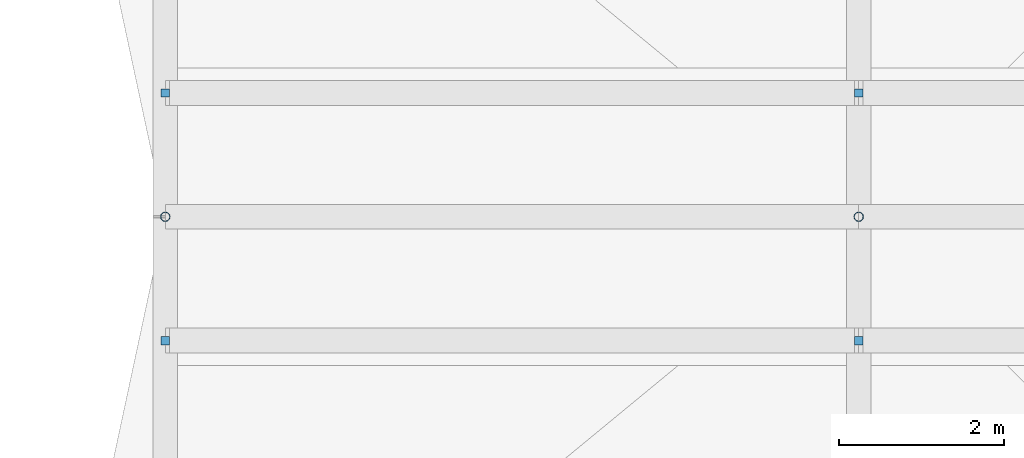
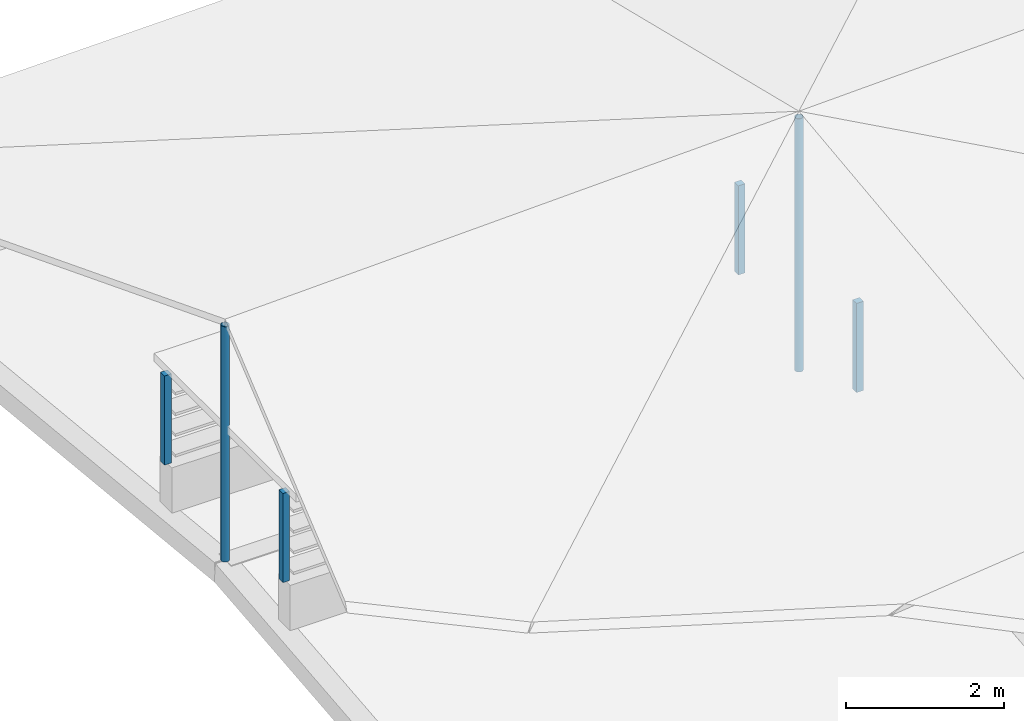
# One storey, part 10 of 46: 6 discrete accessories.
"""IFC4 building model written with IfcOpenShell, lengths in metres."""

import ifcopenshell
import ifcopenshell.guid

model = None  # the IFC model being written
_history = None  # IfcOwnerHistory: only IFC2X3 demands one
_inside = {}  # id of a spatial element -> (the spatial element, [elements in it])
_under = {}  # id of a project, library or spatial element -> (it, [spatial elements below it])
_declared = {}  # id of a project -> (the project, [libraries it declares])
_typed = {}  # id of a type object -> (the type object, [elements of that type])
_made_of = {}  # id of a material, layer set ... -> (it, [elements and type objects made of it])


def new_model(schema):
    """Start an empty IFC model of exactly this schema.

    Asked for "IFC4X3", IfcOpenShell would pick the latest addendum, in which some entities
    have other attributes; the version numbers below select the first issue.
    IFC2X3 requires an IfcOwnerHistory on every rooted entity: one is made here for all.
    """
    global model, _history
    if schema == "IFC4X3":
        model = ifcopenshell.file(schema_version=(4, 3, 0, 0))
    else:
        model = ifcopenshell.file(schema=schema)
    _inside.clear()
    _under.clear()
    _declared.clear()
    _typed.clear()
    _made_of.clear()
    _history = None
    if model.schema == "IFC2X3":
        org = make("IfcOrganization", Name="unknown")
        user = make(
            "IfcPersonAndOrganization",
            ThePerson=make("IfcPerson", FamilyName="unknown"),
            TheOrganization=org,
        )
        app = make(
            "IfcApplication",
            ApplicationDeveloper=org,
            Version="unknown",
            ApplicationFullName="unknown",
            ApplicationIdentifier="unknown",
        )
        _history = make(
            "IfcOwnerHistory",
            OwningUser=user,
            OwningApplication=app,
            ChangeAction="ADDED",
            CreationDate=0,
        )
    return model


def make(cls, **values):
    """One entity of the class cls with the attributes given. An attribute that is None is left unset."""
    return model.create_entity(
        cls, **{name: value for name, value in values.items() if value is not None}
    )


def rooted(cls, **values):
    """An entity with a GlobalId (a new one), such as an element, a storey or a relation."""
    return make(cls, GlobalId=ifcopenshell.guid.new(), OwnerHistory=_history, **values)


def si_unit(unit_type, name, prefix=None):
    """IfcSIUnit, for example si_unit("LENGTHUNIT", "METRE", prefix="MILLI")."""
    return make("IfcSIUnit", UnitType=unit_type, Prefix=prefix, Name=name)


def assignment(units):
    """IfcUnitAssignment: the units of a project."""
    return None if units is None else make("IfcUnitAssignment", Units=units)


def point(xyz):
    """IfcCartesianPoint."""
    return None if xyz is None else make("IfcCartesianPoint", Coordinates=xyz)


def direction(xyz):
    """IfcDirection."""
    return None if xyz is None else make("IfcDirection", DirectionRatios=xyz)


def frame(location, z_axis=None, x_axis=None):
    """IfcAxis2Placement3D, a coordinate frame: its origin and axes. An axis left out is left unset."""
    return make(
        "IfcAxis2Placement3D",
        Location=point(location),
        Axis=direction(z_axis),
        RefDirection=direction(x_axis),
    )


def frame_2d(location, x_axis=None):
    """IfcAxis2Placement2D, a coordinate frame in the plane: its origin and x axis."""
    return make(
        "IfcAxis2Placement2D", Location=point(location), RefDirection=direction(x_axis)
    )


def origin():
    """The frame at (0, 0, 0) with its axes left unset."""
    return frame((0.0, 0.0, 0.0))


def origin_2d():
    """The frame at (0, 0) in the plane with its x axis left unset."""
    return frame_2d((0.0, 0.0))


def place(relative_to, where):
    """IfcLocalPlacement: puts the frame where relative to a parent placement (None: the world)."""
    return make(
        "IfcLocalPlacement", PlacementRelTo=relative_to, RelativePlacement=where
    )


def context(
    kind, dimensions, precision=None, world=None, true_north=None, identifier=None
):
    """IfcGeometricRepresentationContext, for example the 3D "Model" context."""
    return make(
        "IfcGeometricRepresentationContext",
        ContextIdentifier=identifier,
        ContextType=kind,
        CoordinateSpaceDimension=dimensions,
        Precision=precision,
        WorldCoordinateSystem=world,
        TrueNorth=true_north,
    )


def subcontext(parent, identifier, kind, view, scale=None):
    """IfcGeometricRepresentationSubContext, for example "Body" below "Model"."""
    return make(
        "IfcGeometricRepresentationSubContext",
        ContextIdentifier=identifier,
        ContextType=kind,
        ParentContext=parent,
        TargetScale=scale,
        TargetView=view,
    )


def project(units=None, contexts=None):
    """IfcProject with its units and contexts."""
    return rooted(
        "IfcProject",
        Name="project",
        RepresentationContexts=contexts,
        UnitsInContext=assignment(units),
    )


def spatial(cls, under=None, at=None, **own):
    """A site, building, storey or space (cls), placed at a placement, below another one or the project."""
    s = rooted(cls, ObjectPlacement=at, **own)
    if under is not None:
        _under.setdefault(under.id(), (under, []))[1].append(s)
    return s


def profile(cls, at=None, kind="AREA", **sizes):
    """A parametric profile (cls). Its sizes go by their IFC names, for example OverallWidth=200.0."""
    return make(cls, ProfileType=kind, Position=at, **sizes)


def rectangle(**sizes):
    """IfcRectangleProfileDef."""
    return profile("IfcRectangleProfileDef", **sizes)


def hollow_circle(**sizes):
    """IfcCircleHollowProfileDef."""
    return profile("IfcCircleHollowProfileDef", **sizes)


def extrude(swept, where, along, depth):
    """IfcExtrudedAreaSolid: the profile swept, set in the frame where, extruded along a direction by depth."""
    return make(
        "IfcExtrudedAreaSolid",
        SweptArea=swept,
        Position=where,
        ExtrudedDirection=direction(along),
        Depth=depth,
    )


def shape(context_of_items, identifier, shape_type, items):
    """IfcShapeRepresentation: the items that make up one representation, for example the "Body"."""
    return make(
        "IfcShapeRepresentation",
        ContextOfItems=context_of_items,
        RepresentationIdentifier=identifier,
        RepresentationType=shape_type,
        Items=items,
    )


def material(Name=None, Category=None):
    """IfcMaterial."""
    return make("IfcMaterial", Name=Name, Category=Category)


def layer(
    of_material, thickness, ventilated=None, Name=None, Category=None, Priority=None
):
    """IfcMaterialLayer: one layer of a wall or slab, of a material (None: an air gap)."""
    return make(
        "IfcMaterialLayer",
        Material=of_material,
        LayerThickness=thickness,
        IsVentilated=ventilated,
        Name=Name,
        Category=Category,
        Priority=Priority,
    )


def layer_set(layers, Name=None):
    """IfcMaterialLayerSet."""
    return make("IfcMaterialLayerSet", MaterialLayers=layers, LayerSetName=Name)


def material_profile(
    of_material, cross_section, Name=None, Category=None, Priority=None
):
    """IfcMaterialProfile: a cross section and its material."""
    return make(
        "IfcMaterialProfile",
        Name=Name,
        Material=of_material,
        Profile=cross_section,
        Priority=Priority,
        Category=Category,
    )


def profile_set(profiles, Name=None, composite=None):
    """IfcMaterialProfileSet."""
    return make(
        "IfcMaterialProfileSet",
        Name=Name,
        MaterialProfiles=profiles,
        CompositeProfile=composite,
    )


def made_of(thing, what):
    """Note that an element or type object is made of a material, layer set ...; save() writes the relation."""
    if what is not None:
        _made_of.setdefault(what.id(), (what, []))[1].append(thing)
    return thing


def type_object(cls, material=None, **own):
    """A type object (cls), such as IfcWallType, which elements share."""
    return made_of(rooted(cls, **own), material)


def element(
    cls,
    number,
    at=None,
    inside=None,
    cuts=None,
    type_object=None,
    material=None,
    context=None,
    identifier="Body",
    shape_type=None,
    held_by="IfcProductDefinitionShape",
    body=None,
    shapes=None,
    **own,
):
    """One element of the class cls, such as IfcWall. Its Tag is "e" and its number.

    at: its placement. inside: the storey or other place that contains it. cuts: it is an
    opening in that element (IfcRelVoidsElement). A single representation is given by context,
    identifier, shape_type and body (its items); several are given by shapes. held_by: the class
    of the entity that holds the representations. save() writes the other relations.
    """
    e = rooted(cls, Tag="e%d" % number, ObjectPlacement=at, **own)
    if body is not None:
        shapes = [shape(context, identifier, shape_type, body)]
    if shapes is not None:
        e.Representation = make(held_by, Representations=shapes)
    if inside is not None:
        _inside.setdefault(inside.id(), (inside, []))[1].append(e)
    if cuts is not None:
        rooted(
            "IfcRelVoidsElement", RelatingBuildingElement=cuts, RelatedOpeningElement=e
        )
    if type_object is not None:
        _typed.setdefault(type_object.id(), (type_object, []))[1].append(e)
    return made_of(e, material)


def aggregate(whole, parts):
    """IfcRelAggregates: a whole, such as a stair, and the parts it consists of."""
    return rooted("IfcRelAggregates", RelatingObject=whole, RelatedObjects=parts)


def save(model, path):
    """Write the relations noted so far, then the file.

    IfcRelAggregates (storeys below a building ...), IfcRelContainedInSpatialStructure (elements
    in a storey), IfcRelDefinesByType, IfcRelAssociatesMaterial and IfcRelDeclares: one each for
    every whole, place, type object, material and project.
    """
    for whole, parts in _under.values():
        aggregate(whole, parts)
    for where, things in _inside.values():
        rooted(
            "IfcRelContainedInSpatialStructure",
            RelatedElements=things,
            RelatingStructure=where,
        )
    for kind, things in _typed.values():
        rooted("IfcRelDefinesByType", RelatedObjects=things, RelatingType=kind)
    for what, things in _made_of.values():
        rooted("IfcRelAssociatesMaterial", RelatedObjects=things, RelatingMaterial=what)
    for by, libraries in _declared.values():
        rooted("IfcRelDeclares", RelatingContext=by, RelatedDefinitions=libraries)
    model.write(path)


model = new_model("IFC4")

# Units and contexts
model_context = context("Model", 3, precision=1e-05, world=origin(), true_north=direction((0.0, 1.0)))
body_context = subcontext(model_context, "Body", "Model", "MODEL_VIEW")
ifc_project = project(units=[si_unit("LENGTHUNIT", "METRE"), si_unit("AREAUNIT", "SQUARE_METRE"), si_unit("VOLUMEUNIT", "CUBIC_METRE"), si_unit("PLANEANGLEUNIT", "RADIAN"), si_unit("MASSUNIT", "GRAM", prefix="KILO")], contexts=[model_context])

# Site, building, storey
site_placement = place(None, origin())
site = spatial("IfcSite", under=ifc_project, at=site_placement, CompositionType="ELEMENT")
building_placement = place(site_placement, origin())
building = spatial("IfcBuilding", under=site, at=building_placement, Name="Rain Tree Exposition and Congress Centre", CompositionType="ELEMENT")
storey_placement = place(building_placement, frame((0.0, 0.0, 27.0)))
storey = spatial("IfcBuildingStorey", under=building, at=storey_placement, Name="ROOF VAULT CREST", CompositionType="ELEMENT", Elevation=27.0)

# Discrete accessories
ifc_material_1 = material(Name="Steel S355J2", Category="steel")
ifc_layer = layer(ifc_material_1, 0.10009765625)
ifc_layer_set = layer_set([ifc_layer], Name="Steel S355J2")
discrete_accessory_type_1 = type_object("IfcDiscreteAccessoryType", Name="Ridge lantern post 100", PredefinedType="BRACKET", material=ifc_layer_set)
for number, where, z_axis, x_axis, name in (
    (1, (142.800048828125, 124.5, 2.0), (0.0, 0.0, 1.0), (1.0, 0.0, 0.0), "Lantern post S0"),
    (2, (151.199951171875, 124.5, 2.0), (0.0, 0.0, 1.0), (1.0, 0.0, 0.0), "Lantern post S1"),
    (3, (142.800048828125, 127.5, 2.0), (0.0, 0.0, 1.0), (1.0, 0.0, 0.0), "Lantern post N0"),
    (4, (151.199951171875, 127.5, 2.0), (0.0, 0.0, 1.0), (1.0, 0.0, 0.0), "Lantern post N1"),
):
    element("IfcDiscreteAccessory", number, at=place(storey_placement, frame(where, z_axis=z_axis, x_axis=x_axis)), inside=storey, type_object=discrete_accessory_type_1, Name=name, PredefinedType="BRACKET", context=body_context, shape_type="SweptSolid", body=[
        extrude(rectangle(XDim=0.10009765625, YDim=0.10009765625, at=origin_2d()), origin(), (0.0, 0.0, 1.0), 1.3798828125),
    ])
ifc_material_2 = material(Name="Steel S355J2H", Category="steel")
ifc_material_profile = material_profile(ifc_material_2, hollow_circle(Radius=0.05712890625, WallThickness=0.00439453125, at=origin_2d()), Name="CHS 114x4.5")
ifc_profile_set = profile_set([ifc_material_profile], Name="Steel S355J2H")
discrete_accessory_type_2 = type_object("IfcDiscreteAccessoryType", Name="Roof skin post CHS 114x4.5", PredefinedType="BRACKET", material=ifc_profile_set)
discrete_accessory_1_placement = place(storey_placement, frame((142.800048828125, 126.0, 1.39990234375), z_axis=(0.0, 0.0, 1.0), x_axis=(1.0, 0.0, 0.0)))
element("IfcDiscreteAccessory", 5, at=discrete_accessory_1_placement, inside=storey, type_object=discrete_accessory_type_2, Name="Roof skin post B40", PredefinedType="BRACKET", context=body_context, shape_type="SweptSolid", body=[
    extrude(hollow_circle(Radius=0.05712890625, WallThickness=0.00439453125, at=origin_2d()), origin(), (0.0, 0.0, 1.0), 3.64306640625),
])
discrete_accessory_2_placement = place(storey_placement, frame((151.199951171875, 126.0, 1.39990234375), z_axis=(0.0, 0.0, 1.0), x_axis=(1.0, 0.0, 0.0)))
element("IfcDiscreteAccessory", 6, at=discrete_accessory_2_placement, inside=storey, type_object=discrete_accessory_type_2, Name="Roof skin post B41", PredefinedType="BRACKET", context=body_context, shape_type="SweptSolid", body=[
    extrude(hollow_circle(Radius=0.05712890625, WallThickness=0.00439453125, at=origin_2d()), origin(), (0.0, 0.0, 1.0), 3.920166015625),
])

save(model, "model.ifc")
